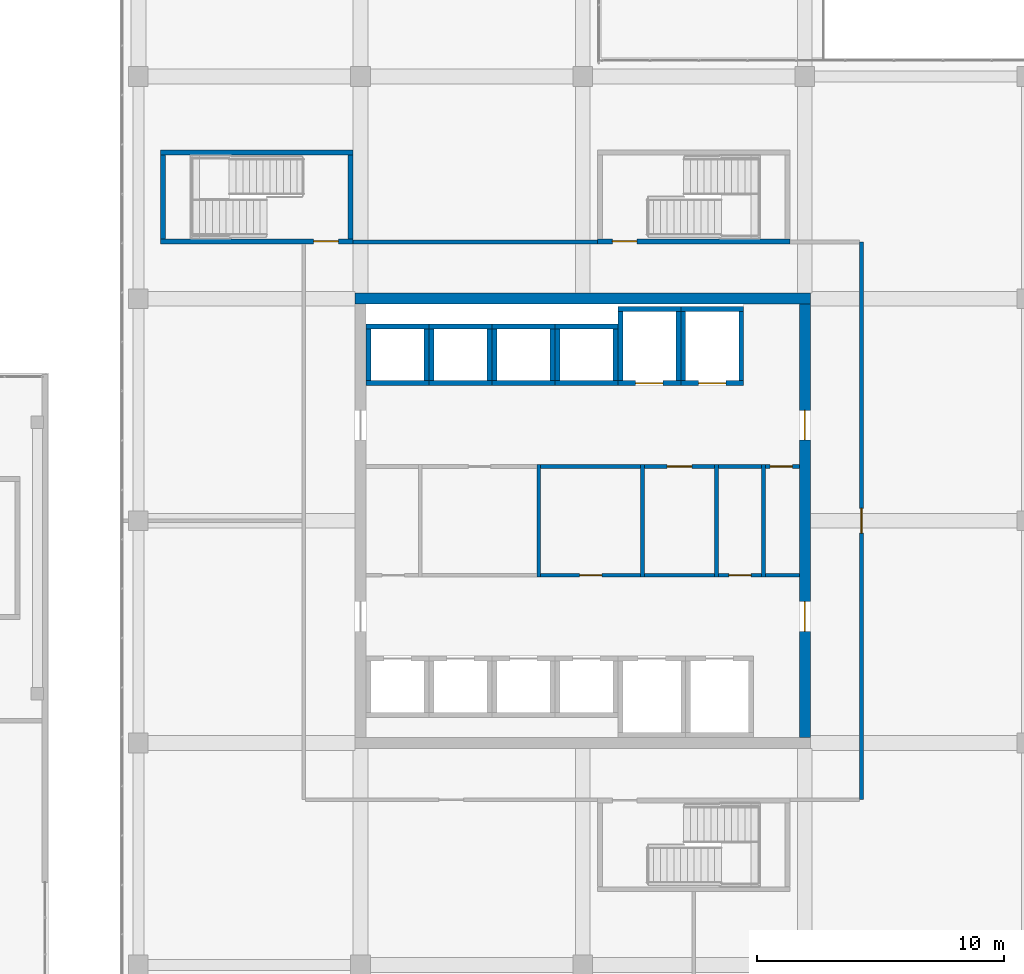
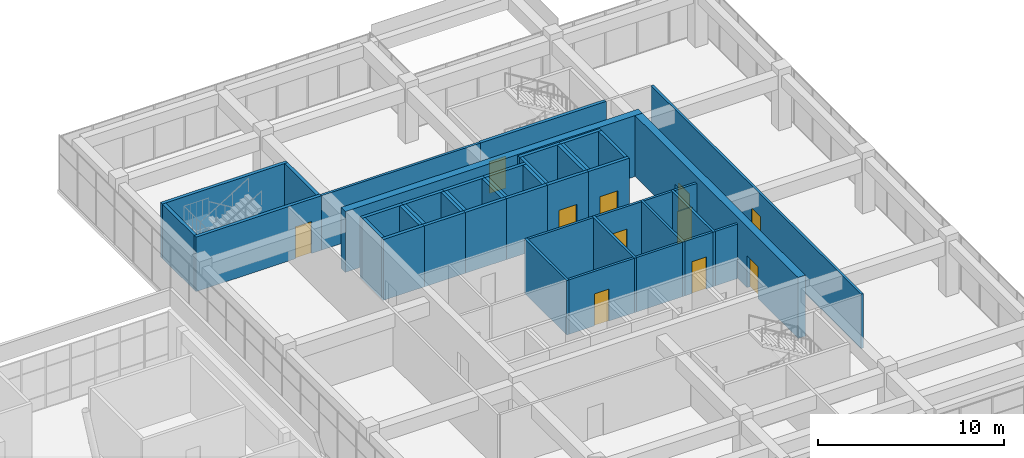
# One storey, part 65 of 72: 45 walls, 11 doors, 11 openings.
"""IFC4 building model written with IfcOpenShell, lengths in metres."""

from ifc_helpers import new_model, si_unit, direction, frame, frame_2d, origin, place, context, subcontext, project, spatial, rectangle, extrude, material, layer, layer_set, type_object, element, fill, save


model = new_model("IFC4")

# Units and contexts
model_context = context("Model", 3, precision=1e-05, world=origin(), true_north=direction((0.0, 1.0)))
body_context = subcontext(model_context, "Body", "Model", "MODEL_VIEW")
ifc_project = project(units=[si_unit("LENGTHUNIT", "METRE"), si_unit("AREAUNIT", "SQUARE_METRE"), si_unit("VOLUMEUNIT", "CUBIC_METRE"), si_unit("PLANEANGLEUNIT", "RADIAN"), si_unit("MASSUNIT", "GRAM", prefix="KILO")], contexts=[model_context])

# Site, building, storey
site_placement = place(None, origin())
site = spatial("IfcSite", under=ifc_project, at=site_placement, CompositionType="ELEMENT")
building_placement = place(site_placement, origin())
building = spatial("IfcBuilding", under=site, at=building_placement, Name="Tuart Plaza Theatre", CompositionType="ELEMENT")
storey_placement = place(building_placement, frame((0.0, 0.0, 13.5)))
storey = spatial("IfcBuildingStorey", under=building, at=storey_placement, Name="L03", CompositionType="ELEMENT", Elevation=13.5)

# Walls
ifc_material_1 = material(Name="Masonry block", Category="masonry")
ifc_layer_1 = layer(ifc_material_1, 0.14990234375)
ifc_layer_set_1 = layer_set([ifc_layer_1], Name="PARTITION BLK150 MASONRYB FRL -/120/120")
wall_type_1 = type_object("IfcWallType", Name="PARTITION BLK150 MASONRYB FRL -/120/120", PredefinedType="PARTITIONING", material=ifc_layer_set_1)
for number, where, z_axis, x_axis, name in (
    (1, (130.22509765625, 71.72509765625, 0.0), (0.0, 0.0, 1.0), (0.0, 1.0, 0.0), "P585"),
    (2, (134.425048828125, 71.72509765625, 0.0), (0.0, 0.0, 1.0), (0.0, 1.0, 0.0), "P588"),
):
    element("IfcWall", number, at=place(storey_placement, frame(where, z_axis=z_axis, x_axis=x_axis)), inside=storey, type_object=wall_type_1, Name=name, PredefinedType="PARTITIONING", context=body_context, shape_type="SweptSolid", body=[
        extrude(rectangle(XDim=4.5498046875, YDim=0.14990234375, at=frame_2d((2.27490234375, 0.0))), origin(), (0.0, 0.0, 1.0), 3.580078125),
    ])

# Wall, opening, door
wall_1_placement = place(storey_placement, frame((130.300048828125, 71.800048828125, 0.0), z_axis=(0.0, 0.0, 1.0), x_axis=(1.0, 0.0, 0.0)))
wall_1 = element("IfcWall", 3, at=wall_1_placement, inside=storey, type_object=wall_type_1, Name="P589", PredefinedType="PARTITIONING", context=body_context, shape_type="SweptSolid", body=[
    extrude(rectangle(XDim=4.050048828125, YDim=0.14990234375, at=frame_2d((2.02490234375, 0.0))), origin(), (0.0, 0.0, 1.0), 3.580078125),
])
opening_1_placement = place(wall_1_placement, frame((1.574951171875, 0.0, 0.0)))
opening_1 = element("IfcOpeningElement", 4, at=opening_1_placement, cuts=wall_1, Name="Opening L03-047", PredefinedType="OPENING", context=body_context, shape_type="SweptSolid", body=[
    extrude(rectangle(XDim=0.89990234375, YDim=2.10009765625, at=frame_2d((0.449951171875, 1.050048828125))), frame((0.0, 0.0849609375, 0.0), z_axis=(0.0, -1.0, 0.0), x_axis=(1.0, 0.0, 0.0)), (0.0, 0.0, 1.0), 0.169921875),
])
ifc_material_2 = material(Name="Steel Grade 300", Category="steel")
door_type_1 = type_object("IfcDoorType", Name="DOOR 900x2100 steel single swing FRL -/120/30", OperationType="SINGLE_SWING_LEFT", PredefinedType="DOOR", material=ifc_material_2)
door_1_placement = place(opening_1_placement, origin())
door_1 = element("IfcDoor", 5, at=door_1_placement, inside=storey, type_object=door_type_1, Name="L03-047", OperationType="SINGLE_SWING_LEFT", OverallHeight=2.10009765625, OverallWidth=0.89990234375, PredefinedType="DOOR", context=body_context, shape_type="SweptSolid", body=[
    extrude(rectangle(XDim=0.89990234375, YDim=2.10009765625, at=frame_2d((0.449951171875, 1.050048828125))), frame((0.0, 0.02490234375, 0.0), z_axis=(0.0, -1.0, 0.0), x_axis=(1.0, 0.0, 0.0)), (0.0, 0.0, 1.0), 0.050048828125),
])
fill(opening_1, door_1)

# Walls
wall_2_placement = place(storey_placement, frame((130.300048828125, 76.199951171875, 0.0), z_axis=(0.0, 0.0, 1.0), x_axis=(1.0, 0.0, 0.0)))
element("IfcWall", 6, at=wall_2_placement, inside=storey, type_object=wall_type_1, Name="P590", PredefinedType="PARTITIONING", context=body_context, shape_type="SweptSolid", body=[
    extrude(rectangle(XDim=4.050048828125, YDim=0.14990234375, at=frame_2d((2.02490234375, 0.0))), origin(), (0.0, 0.0, 1.0), 3.580078125),
])
wall_3_placement = place(storey_placement, frame((137.425048828125, 71.72509765625, 0.0), z_axis=(0.0, 0.0, 1.0), x_axis=(0.0, 1.0, 0.0)))
element("IfcWall", 7, at=wall_3_placement, inside=storey, type_object=wall_type_1, Name="P591", PredefinedType="PARTITIONING", context=body_context, shape_type="SweptSolid", body=[
    extrude(rectangle(XDim=4.5498046875, YDim=0.14990234375, at=frame_2d((2.27490234375, 0.0))), origin(), (0.0, 0.0, 1.0), 3.580078125),
])
wall_4_placement = place(storey_placement, frame((134.5, 71.800048828125, 0.0), z_axis=(0.0, 0.0, 1.0), x_axis=(1.0, 0.0, 0.0)))
element("IfcWall", 8, at=wall_4_placement, inside=storey, type_object=wall_type_1, Name="P592", PredefinedType="PARTITIONING", context=body_context, shape_type="SweptSolid", body=[
    extrude(rectangle(XDim=2.85009765625, YDim=0.14990234375, at=frame_2d((1.425048828125, 0.0))), origin(), (0.0, 0.0, 1.0), 3.580078125),
])

# Wall, opening, door
wall_5_placement = place(storey_placement, frame((134.5, 76.199951171875, 0.0), z_axis=(0.0, 0.0, 1.0), x_axis=(1.0, 0.0, 0.0)))
wall_5 = element("IfcWall", 9, at=wall_5_placement, inside=storey, type_object=wall_type_1, Name="P593", PredefinedType="PARTITIONING", context=body_context, shape_type="SweptSolid", body=[
    extrude(rectangle(XDim=2.85009765625, YDim=0.14990234375, at=frame_2d((1.425048828125, 0.0))), origin(), (0.0, 0.0, 1.0), 3.580078125),
])
opening_2_placement = place(wall_5_placement, frame((0.925048828125, 0.0, 0.0)))
opening_2 = element("IfcOpeningElement", 10, at=opening_2_placement, cuts=wall_5, Name="Opening L03-048", PredefinedType="OPENING", context=body_context, shape_type="SweptSolid", body=[
    extrude(rectangle(XDim=1.0, YDim=2.10009765625, at=frame_2d((0.5, 1.050048828125))), frame((0.0, 0.0849609375, 0.0), z_axis=(0.0, -1.0, 0.0), x_axis=(1.0, 0.0, 0.0)), (0.0, 0.0, 1.0), 0.169921875),
])
ifc_material_3 = material(Name="Steel Grade 300", Category="steel")
door_type_2 = type_object("IfcDoorType", Name="DOOR 1000x2100 steel single swing FRL -/120/30", OperationType="SINGLE_SWING_LEFT", PredefinedType="DOOR", material=ifc_material_3)
door_2_placement = place(opening_2_placement, frame((1.0, 0.0, 0.0), z_axis=(0.0, 0.0, 1.0), x_axis=(-1.0, 0.0, 0.0)))
door_2 = element("IfcDoor", 11, at=door_2_placement, inside=storey, type_object=door_type_2, Name="L03-048", OperationType="SINGLE_SWING_LEFT", OverallHeight=2.10009765625, OverallWidth=1.0, PredefinedType="DOOR", context=body_context, shape_type="SweptSolid", body=[
    extrude(rectangle(XDim=1.0, YDim=2.10009765625, at=frame_2d((0.5, 1.050048828125))), frame((0.0, 0.02490234375, 0.0), z_axis=(0.0, -1.0, 0.0), x_axis=(1.0, 0.0, 0.0)), (0.0, 0.0, 1.0), 0.050048828125),
])
fill(opening_2, door_2)

# Wall
wall_6_placement = place(storey_placement, frame((139.324951171875, 71.72509765625, 0.0), z_axis=(0.0, 0.0, 1.0), x_axis=(0.0, 1.0, 0.0)))
element("IfcWall", 12, at=wall_6_placement, inside=storey, type_object=wall_type_1, Name="P594", PredefinedType="PARTITIONING", context=body_context, shape_type="SweptSolid", body=[
    extrude(rectangle(XDim=4.5498046875, YDim=0.14990234375, at=frame_2d((2.27490234375, 0.0))), origin(), (0.0, 0.0, 1.0), 3.580078125),
])

# Wall, opening, door
wall_7_placement = place(storey_placement, frame((137.5, 71.800048828125, 0.0), z_axis=(0.0, 0.0, 1.0), x_axis=(1.0, 0.0, 0.0)))
wall_7 = element("IfcWall", 13, at=wall_7_placement, inside=storey, type_object=wall_type_1, Name="P595", PredefinedType="PARTITIONING", context=body_context, shape_type="SweptSolid", body=[
    extrude(rectangle(XDim=1.75, YDim=0.14990234375, at=frame_2d((0.875, 0.0))), origin(), (0.0, 0.0, 1.0), 3.580078125),
])
opening_3_placement = place(wall_7_placement, frame((0.425048828125, 0.0, 0.0)))
opening_3 = element("IfcOpeningElement", 14, at=opening_3_placement, cuts=wall_7, Name="Opening L03-049", PredefinedType="OPENING", context=body_context, shape_type="SweptSolid", body=[
    extrude(rectangle(XDim=0.89990234375, YDim=2.10009765625, at=frame_2d((0.449951171875, 1.050048828125))), frame((0.0, 0.0849609375, 0.0), z_axis=(0.0, -1.0, 0.0), x_axis=(1.0, 0.0, 0.0)), (0.0, 0.0, 1.0), 0.169921875),
])
door_3_placement = place(opening_3_placement, origin())
door_3 = element("IfcDoor", 15, at=door_3_placement, inside=storey, type_object=door_type_1, Name="L03-049", OperationType="SINGLE_SWING_LEFT", OverallHeight=2.10009765625, OverallWidth=0.89990234375, PredefinedType="DOOR", context=body_context, shape_type="SweptSolid", body=[
    extrude(rectangle(XDim=0.89990234375, YDim=2.10009765625, at=frame_2d((0.449951171875, 1.050048828125))), frame((0.0, 0.02490234375, 0.0), z_axis=(0.0, -1.0, 0.0), x_axis=(1.0, 0.0, 0.0)), (0.0, 0.0, 1.0), 0.050048828125),
])
fill(opening_3, door_3)

# Walls
wall_8_placement = place(storey_placement, frame((137.5, 76.199951171875, 0.0), z_axis=(0.0, 0.0, 1.0), x_axis=(1.0, 0.0, 0.0)))
element("IfcWall", 16, at=wall_8_placement, inside=storey, type_object=wall_type_1, Name="P596", PredefinedType="PARTITIONING", context=body_context, shape_type="SweptSolid", body=[
    extrude(rectangle(XDim=1.75, YDim=0.14990234375, at=frame_2d((0.875, 0.0))), origin(), (0.0, 0.0, 1.0), 3.580078125),
])
wall_9_placement = place(storey_placement, frame((139.39990234375, 71.800048828125, 0.0), z_axis=(0.0, 0.0, 1.0), x_axis=(1.0, 0.0, 0.0)))
element("IfcWall", 17, at=wall_9_placement, inside=storey, type_object=wall_type_1, Name="P597", PredefinedType="PARTITIONING", context=body_context, shape_type="SweptSolid", body=[
    extrude(rectangle(XDim=1.375, YDim=0.14990234375, at=frame_2d((0.6875, 0.0))), origin(), (0.0, 0.0, 1.0), 3.580078125),
])

# Wall, opening, door
wall_10_placement = place(storey_placement, frame((139.39990234375, 76.199951171875, 0.0), z_axis=(0.0, 0.0, 1.0), x_axis=(1.0, 0.0, 0.0)))
wall_10 = element("IfcWall", 18, at=wall_10_placement, inside=storey, type_object=wall_type_1, Name="P598", PredefinedType="PARTITIONING", context=body_context, shape_type="SweptSolid", body=[
    extrude(rectangle(XDim=1.375, YDim=0.14990234375, at=frame_2d((0.6875, 0.0))), origin(), (0.0, 0.0, 1.0), 3.580078125),
])
opening_4_placement = place(wall_10_placement, frame((0.199951171875, 0.0, 0.0)))
opening_4 = element("IfcOpeningElement", 19, at=opening_4_placement, cuts=wall_10, Name="Opening L03-050", PredefinedType="OPENING", context=body_context, shape_type="SweptSolid", body=[
    extrude(rectangle(XDim=0.89990234375, YDim=2.10009765625, at=frame_2d((0.449951171875, 1.050048828125))), frame((0.0, 0.0849609375, 0.0), z_axis=(0.0, -1.0, 0.0), x_axis=(1.0, 0.0, 0.0)), (0.0, 0.0, 1.0), 0.169921875),
])
door_4_placement = place(opening_4_placement, frame((0.89990234375, 0.0, 0.0), z_axis=(0.0, 0.0, 1.0), x_axis=(-1.0, 0.0, 0.0)))
door_4 = element("IfcDoor", 20, at=door_4_placement, inside=storey, type_object=door_type_1, Name="L03-050", OperationType="SINGLE_SWING_LEFT", OverallHeight=2.10009765625, OverallWidth=0.89990234375, PredefinedType="DOOR", context=body_context, shape_type="SweptSolid", body=[
    extrude(rectangle(XDim=0.89990234375, YDim=2.10009765625, at=frame_2d((0.449951171875, 1.050048828125))), frame((0.0, 0.02490234375, 0.0), z_axis=(0.0, -1.0, 0.0), x_axis=(1.0, 0.0, 0.0)), (0.0, 0.0, 1.0), 0.050048828125),
])
fill(opening_4, door_4)

# Wall
ifc_material_4 = material(Name="Masonry block", Category="masonry")
ifc_layer_2 = layer(ifc_material_4, 0.14990234375)
ifc_layer_set_2 = layer_set([ifc_layer_2], Name="PARTITION BLK150 MASONRYB FRL 120/-/-")
wall_type_2 = type_object("IfcWallType", Name="PARTITION BLK150 MASONRYB FRL 120/-/-", PredefinedType="PARTITIONING", material=ifc_layer_set_2)
wall_11_placement = place(storey_placement, frame((122.699951171875, 85.300048828125, 0.0), z_axis=(0.0, 0.0, 1.0), x_axis=(1.0, 0.0, 0.0)))
element("IfcWall", 21, at=wall_11_placement, inside=storey, type_object=wall_type_2, Name="P602", PredefinedType="PARTITIONING", context=body_context, shape_type="SweptSolid", body=[
    extrude(rectangle(XDim=9.900146484375, YDim=0.14990234375, at=frame_2d((4.9501953125, 0.0))), origin(), (0.0, 0.0, 1.0), 3.580078125),
])

# Wall, opening, door
wall_12_placement = place(storey_placement, frame((143.300048828125, 85.300048828125, 0.0), z_axis=(0.0, 0.0, 1.0), x_axis=(0.0, -1.0, 0.0)))
wall_12 = element("IfcWall", 22, at=wall_12_placement, inside=storey, type_object=wall_type_2, Name="P604", PredefinedType="PARTITIONING", context=body_context, shape_type="SweptSolid", body=[
    extrude(rectangle(XDim=22.60009765625, YDim=0.14990234375, at=frame_2d((11.300048828125, 0.0))), origin(), (0.0, 0.0, 1.0), 3.580078125),
])
opening_5_placement = place(wall_12_placement, frame((10.800048828125, 0.0, 0.0)))
opening_5 = element("IfcOpeningElement", 23, at=opening_5_placement, cuts=wall_12, Name="Opening L03-052", PredefinedType="OPENING", context=body_context, shape_type="SweptSolid", body=[
    extrude(rectangle(XDim=1.0, YDim=2.10009765625, at=frame_2d((0.5, 1.050048828125))), frame((0.0, 0.0849609375, 0.0), z_axis=(0.0, -1.0, 0.0), x_axis=(1.0, 0.0, 0.0)), (0.0, 0.0, 1.0), 0.169921875),
])
ifc_material_5 = material(Name="Timber", Category="wood")
door_type_3 = type_object("IfcDoorType", Name="DOOR 1000x2100 timber single swing FRL -/60/30", OperationType="SINGLE_SWING_LEFT", PredefinedType="DOOR", material=ifc_material_5)
door_5_placement = place(opening_5_placement, frame((1.0, 0.0, 0.0), z_axis=(0.0, 0.0, 1.0), x_axis=(-1.0, 0.0, 0.0)))
door_5 = element("IfcDoor", 24, at=door_5_placement, inside=storey, type_object=door_type_3, Name="L03-052", OperationType="SINGLE_SWING_RIGHT", OverallHeight=2.10009765625, OverallWidth=1.0, PredefinedType="DOOR", context=body_context, shape_type="SweptSolid", body=[
    extrude(rectangle(XDim=1.0, YDim=2.10009765625, at=frame_2d((0.5, 1.050048828125))), frame((0.0, 0.02490234375, 0.0), z_axis=(0.0, -1.0, 0.0), x_axis=(1.0, 0.0, 0.0)), (0.0, 0.0, 1.0), 0.050048828125),
])
fill(opening_5, door_5)

# Walls
ifc_material_6 = material(Name="Concrete N40 (40 MPa)", Category="concrete")
ifc_layer_3 = layer(ifc_material_6, 0.199951171875)
ifc_layer_set_3 = layer_set([ifc_layer_3], Name="SHEAR WALL RC200 FRL 120/120/120")
wall_type_3 = type_object("IfcWallType", Name="SHEAR WALL RC200 FRL 120/120/120", PredefinedType="SHEAR", material=ifc_layer_set_3)
wall_13_placement = place(storey_placement, frame((123.22509765625, 79.574951171875, 0.0), z_axis=(0.0, 0.0, 1.0), x_axis=(1.0, 0.0, 0.0)))
element("IfcWall", 25, at=wall_13_placement, inside=storey, type_object=wall_type_3, Name="W738", PredefinedType="SHEAR", context=body_context, shape_type="SweptSolid", body=[
    extrude(rectangle(XDim=2.5498046875, YDim=0.199951171875, at=frame_2d((1.27490234375, 0.0))), origin(), (0.0, 0.0, 1.0), 4.0),
])
wall_14_placement = place(storey_placement, frame((125.675048828125, 79.675048828125, 0.0), z_axis=(0.0, 0.0, 1.0), x_axis=(0.0, 1.0, 0.0)))
element("IfcWall", 26, at=wall_14_placement, inside=storey, type_object=wall_type_3, Name="W739", PredefinedType="SHEAR", context=body_context, shape_type="SweptSolid", body=[
    extrude(rectangle(XDim=2.099853515625, YDim=0.199951171875, at=frame_2d((1.0498046875, 0.0))), origin(), (0.0, 0.0, 1.0), 4.0),
])
wall_15_placement = place(storey_placement, frame((125.77490234375, 81.875, 0.0), z_axis=(0.0, 0.0, 1.0), x_axis=(-1.0, 0.0, 0.0)))
element("IfcWall", 27, at=wall_15_placement, inside=storey, type_object=wall_type_3, Name="W740", PredefinedType="SHEAR", context=body_context, shape_type="SweptSolid", body=[
    extrude(rectangle(XDim=2.5498046875, YDim=0.199951171875, at=frame_2d((1.27490234375, 0.0))), origin(), (0.0, 0.0, 1.0), 4.0),
])
wall_16_placement = place(storey_placement, frame((123.324951171875, 81.77490234375, 0.0), z_axis=(0.0, 0.0, 1.0), x_axis=(0.0, -1.0, 0.0)))
element("IfcWall", 28, at=wall_16_placement, inside=storey, type_object=wall_type_3, Name="W741", PredefinedType="SHEAR", context=body_context, shape_type="SweptSolid", body=[
    extrude(rectangle(XDim=2.099853515625, YDim=0.199951171875, at=frame_2d((1.0498046875, 0.0))), origin(), (0.0, 0.0, 1.0), 4.0),
])
wall_17_placement = place(storey_placement, frame((125.77490234375, 79.574951171875, 0.0), z_axis=(0.0, 0.0, 1.0), x_axis=(1.0, 0.0, 0.0)))
element("IfcWall", 29, at=wall_17_placement, inside=storey, type_object=wall_type_3, Name="W810", PredefinedType="SHEAR", context=body_context, shape_type="SweptSolid", body=[
    extrude(rectangle(XDim=2.550048828125, YDim=0.199951171875, at=frame_2d((1.27490234375, 0.0))), origin(), (0.0, 0.0, 1.0), 4.0),
])
wall_18_placement = place(storey_placement, frame((128.22509765625, 79.675048828125, 0.0), z_axis=(0.0, 0.0, 1.0), x_axis=(0.0, 1.0, 0.0)))
element("IfcWall", 30, at=wall_18_placement, inside=storey, type_object=wall_type_3, Name="W811", PredefinedType="SHEAR", context=body_context, shape_type="SweptSolid", body=[
    extrude(rectangle(XDim=2.099853515625, YDim=0.199951171875, at=frame_2d((1.0498046875, 0.0))), origin(), (0.0, 0.0, 1.0), 4.0),
])
wall_19_placement = place(storey_placement, frame((128.324951171875, 81.875, 0.0), z_axis=(0.0, 0.0, 1.0), x_axis=(-1.0, 0.0, 0.0)))
element("IfcWall", 31, at=wall_19_placement, inside=storey, type_object=wall_type_3, Name="W812", PredefinedType="SHEAR", context=body_context, shape_type="SweptSolid", body=[
    extrude(rectangle(XDim=2.550048828125, YDim=0.199951171875, at=frame_2d((1.27490234375, 0.0))), origin(), (0.0, 0.0, 1.0), 4.0),
])
wall_20_placement = place(storey_placement, frame((125.875, 81.77490234375, 0.0), z_axis=(0.0, 0.0, 1.0), x_axis=(0.0, -1.0, 0.0)))
element("IfcWall", 32, at=wall_20_placement, inside=storey, type_object=wall_type_3, Name="W813", PredefinedType="SHEAR", context=body_context, shape_type="SweptSolid", body=[
    extrude(rectangle(XDim=2.099853515625, YDim=0.199951171875, at=frame_2d((1.0498046875, 0.0))), origin(), (0.0, 0.0, 1.0), 4.0),
])
wall_21_placement = place(storey_placement, frame((128.324951171875, 79.574951171875, 0.0), z_axis=(0.0, 0.0, 1.0), x_axis=(1.0, 0.0, 0.0)))
element("IfcWall", 33, at=wall_21_placement, inside=storey, type_object=wall_type_3, Name="W882", PredefinedType="SHEAR", context=body_context, shape_type="SweptSolid", body=[
    extrude(rectangle(XDim=2.550048828125, YDim=0.199951171875, at=frame_2d((1.27490234375, 0.0))), origin(), (0.0, 0.0, 1.0), 4.0),
])
wall_22_placement = place(storey_placement, frame((130.77490234375, 79.675048828125, 0.0), z_axis=(0.0, 0.0, 1.0), x_axis=(0.0, 1.0, 0.0)))
element("IfcWall", 34, at=wall_22_placement, inside=storey, type_object=wall_type_3, Name="W883", PredefinedType="SHEAR", context=body_context, shape_type="SweptSolid", body=[
    extrude(rectangle(XDim=2.099853515625, YDim=0.199951171875, at=frame_2d((1.0498046875, 0.0))), origin(), (0.0, 0.0, 1.0), 4.0),
])
wall_23_placement = place(storey_placement, frame((130.875, 81.875, 0.0), z_axis=(0.0, 0.0, 1.0), x_axis=(-1.0, 0.0, 0.0)))
element("IfcWall", 35, at=wall_23_placement, inside=storey, type_object=wall_type_3, Name="W884", PredefinedType="SHEAR", context=body_context, shape_type="SweptSolid", body=[
    extrude(rectangle(XDim=2.550048828125, YDim=0.199951171875, at=frame_2d((1.27490234375, 0.0))), origin(), (0.0, 0.0, 1.0), 4.0),
])
wall_24_placement = place(storey_placement, frame((128.425048828125, 81.77490234375, 0.0), z_axis=(0.0, 0.0, 1.0), x_axis=(0.0, -1.0, 0.0)))
element("IfcWall", 36, at=wall_24_placement, inside=storey, type_object=wall_type_3, Name="W885", PredefinedType="SHEAR", context=body_context, shape_type="SweptSolid", body=[
    extrude(rectangle(XDim=2.099853515625, YDim=0.199951171875, at=frame_2d((1.0498046875, 0.0))), origin(), (0.0, 0.0, 1.0), 4.0),
])
wall_25_placement = place(storey_placement, frame((130.875, 79.574951171875, 0.0), z_axis=(0.0, 0.0, 1.0), x_axis=(1.0, 0.0, 0.0)))
element("IfcWall", 37, at=wall_25_placement, inside=storey, type_object=wall_type_3, Name="W954", PredefinedType="SHEAR", context=body_context, shape_type="SweptSolid", body=[
    extrude(rectangle(XDim=2.550048828125, YDim=0.199951171875, at=frame_2d((1.27490234375, 0.0))), origin(), (0.0, 0.0, 1.0), 4.0),
])
wall_26_placement = place(storey_placement, frame((133.324951171875, 79.675048828125, 0.0), z_axis=(0.0, 0.0, 1.0), x_axis=(0.0, 1.0, 0.0)))
element("IfcWall", 38, at=wall_26_placement, inside=storey, type_object=wall_type_3, Name="W955", PredefinedType="SHEAR", context=body_context, shape_type="SweptSolid", body=[
    extrude(rectangle(XDim=2.099853515625, YDim=0.199951171875, at=frame_2d((1.0498046875, 0.0))), origin(), (0.0, 0.0, 1.0), 4.0),
])
wall_27_placement = place(storey_placement, frame((133.425048828125, 81.875, 0.0), z_axis=(0.0, 0.0, 1.0), x_axis=(-1.0, 0.0, 0.0)))
element("IfcWall", 39, at=wall_27_placement, inside=storey, type_object=wall_type_3, Name="W956", PredefinedType="SHEAR", context=body_context, shape_type="SweptSolid", body=[
    extrude(rectangle(XDim=2.550048828125, YDim=0.199951171875, at=frame_2d((1.27490234375, 0.0))), origin(), (0.0, 0.0, 1.0), 4.0),
])
wall_28_placement = place(storey_placement, frame((130.97509765625, 81.77490234375, 0.0), z_axis=(0.0, 0.0, 1.0), x_axis=(0.0, -1.0, 0.0)))
element("IfcWall", 40, at=wall_28_placement, inside=storey, type_object=wall_type_3, Name="W957", PredefinedType="SHEAR", context=body_context, shape_type="SweptSolid", body=[
    extrude(rectangle(XDim=2.099853515625, YDim=0.199951171875, at=frame_2d((1.0498046875, 0.0))), origin(), (0.0, 0.0, 1.0), 4.0),
])

# Wall, opening, door
wall_29_placement = place(storey_placement, frame((133.425048828125, 79.574951171875, 0.0), z_axis=(0.0, 0.0, 1.0), x_axis=(1.0, 0.0, 0.0)))
wall_29 = element("IfcWall", 41, at=wall_29_placement, inside=storey, type_object=wall_type_3, Name="W1178", PredefinedType="SHEAR", context=body_context, shape_type="SweptSolid", body=[
    extrude(rectangle(XDim=2.550048828125, YDim=0.199951171875, at=frame_2d((1.27490234375, 0.0))), origin(), (0.0, 0.0, 1.0), 4.0),
])
opening_6_placement = place(wall_29_placement, frame((0.72509765625, 0.0, 0.0)))
opening_6 = element("IfcOpeningElement", 42, at=opening_6_placement, cuts=wall_29, Name="Opening L03-036", PredefinedType="OPENING", context=body_context, shape_type="SweptSolid", body=[
    extrude(rectangle(XDim=1.10009765625, YDim=2.10009765625, at=frame_2d((0.550048828125, 1.050048828125))), frame((0.0, 0.10986328125, 0.0), z_axis=(0.0, -1.0, 0.0), x_axis=(1.0, 0.0, 0.0)), (0.0, 0.0, 1.0), 0.219970703125),
])
ifc_material_7 = material(Name="Steel Grade 300", Category="steel")
door_type_4 = type_object("IfcDoorType", Name="LANDING DOOR 1100x2100 steel sliding FRL -/120/30", OperationType="SLIDING_TO_LEFT", PredefinedType="DOOR", material=ifc_material_7)
door_6_placement = place(opening_6_placement, origin())
door_6 = element("IfcDoor", 43, at=door_6_placement, inside=storey, type_object=door_type_4, Name="L03-036", OperationType="SLIDING_TO_LEFT", OverallHeight=2.10009765625, OverallWidth=1.10009765625, PredefinedType="DOOR", context=body_context, shape_type="SweptSolid", body=[
    extrude(rectangle(XDim=1.10009765625, YDim=2.10009765625, at=frame_2d((0.550048828125, 1.050048828125))), frame((0.0, 0.02490234375, 0.0), z_axis=(0.0, -1.0, 0.0), x_axis=(1.0, 0.0, 0.0)), (0.0, 0.0, 1.0), 0.050048828125),
])
fill(opening_6, door_6)

# Walls
wall_30_placement = place(storey_placement, frame((135.875, 79.675048828125, 0.0), z_axis=(0.0, 0.0, 1.0), x_axis=(0.0, 1.0, 0.0)))
element("IfcWall", 44, at=wall_30_placement, inside=storey, type_object=wall_type_3, Name="W1179", PredefinedType="SHEAR", context=body_context, shape_type="SweptSolid", body=[
    extrude(rectangle(XDim=2.800048828125, YDim=0.199951171875, at=frame_2d((1.39990234375, 0.0))), origin(), (0.0, 0.0, 1.0), 4.0),
])
wall_31_placement = place(storey_placement, frame((135.97509765625, 82.574951171875, 0.0), z_axis=(0.0, 0.0, 1.0), x_axis=(-1.0, 0.0, 0.0)))
element("IfcWall", 45, at=wall_31_placement, inside=storey, type_object=wall_type_3, Name="W1180", PredefinedType="SHEAR", context=body_context, shape_type="SweptSolid", body=[
    extrude(rectangle(XDim=2.550048828125, YDim=0.199951171875, at=frame_2d((1.27490234375, 0.0))), origin(), (0.0, 0.0, 1.0), 4.0),
])
wall_32_placement = place(storey_placement, frame((133.52490234375, 82.47509765625, 0.0), z_axis=(0.0, 0.0, 1.0), x_axis=(0.0, -1.0, 0.0)))
element("IfcWall", 46, at=wall_32_placement, inside=storey, type_object=wall_type_3, Name="W1181", PredefinedType="SHEAR", context=body_context, shape_type="SweptSolid", body=[
    extrude(rectangle(XDim=2.800048828125, YDim=0.199951171875, at=frame_2d((1.39990234375, 0.0))), origin(), (0.0, 0.0, 1.0), 4.0),
])

# Wall, opening, door
wall_33_placement = place(storey_placement, frame((135.97509765625, 79.574951171875, 0.0), z_axis=(0.0, 0.0, 1.0), x_axis=(1.0, 0.0, 0.0)))
wall_33 = element("IfcWall", 47, at=wall_33_placement, inside=storey, type_object=wall_type_3, Name="W1254", PredefinedType="SHEAR", context=body_context, shape_type="SweptSolid", body=[
    extrude(rectangle(XDim=2.5498046875, YDim=0.199951171875, at=frame_2d((1.27490234375, 0.0))), origin(), (0.0, 0.0, 1.0), 4.0),
])
opening_7_placement = place(wall_33_placement, frame((0.72509765625, 0.0, 0.0)))
opening_7 = element("IfcOpeningElement", 48, at=opening_7_placement, cuts=wall_33, Name="Opening L03-037", PredefinedType="OPENING", context=body_context, shape_type="SweptSolid", body=[
    extrude(rectangle(XDim=1.10009765625, YDim=2.10009765625, at=frame_2d((0.550048828125, 1.050048828125))), frame((0.0, 0.10986328125, 0.0), z_axis=(0.0, -1.0, 0.0), x_axis=(1.0, 0.0, 0.0)), (0.0, 0.0, 1.0), 0.219970703125),
])
door_7_placement = place(opening_7_placement, origin())
door_7 = element("IfcDoor", 49, at=door_7_placement, inside=storey, type_object=door_type_4, Name="L03-037", OperationType="SLIDING_TO_LEFT", OverallHeight=2.10009765625, OverallWidth=1.10009765625, PredefinedType="DOOR", context=body_context, shape_type="SweptSolid", body=[
    extrude(rectangle(XDim=1.10009765625, YDim=2.10009765625, at=frame_2d((0.550048828125, 1.050048828125))), frame((0.0, 0.02490234375, 0.0), z_axis=(0.0, -1.0, 0.0), x_axis=(1.0, 0.0, 0.0)), (0.0, 0.0, 1.0), 0.050048828125),
])
fill(opening_7, door_7)

# Walls
wall_34_placement = place(storey_placement, frame((138.425048828125, 79.675048828125, 0.0), z_axis=(0.0, 0.0, 1.0), x_axis=(0.0, 1.0, 0.0)))
element("IfcWall", 50, at=wall_34_placement, inside=storey, type_object=wall_type_3, Name="W1255", PredefinedType="SHEAR", context=body_context, shape_type="SweptSolid", body=[
    extrude(rectangle(XDim=2.800048828125, YDim=0.199951171875, at=frame_2d((1.39990234375, 0.0))), origin(), (0.0, 0.0, 1.0), 4.0),
])
wall_35_placement = place(storey_placement, frame((138.52490234375, 82.574951171875, 0.0), z_axis=(0.0, 0.0, 1.0), x_axis=(-1.0, 0.0, 0.0)))
element("IfcWall", 51, at=wall_35_placement, inside=storey, type_object=wall_type_3, Name="W1256", PredefinedType="SHEAR", context=body_context, shape_type="SweptSolid", body=[
    extrude(rectangle(XDim=2.5498046875, YDim=0.199951171875, at=frame_2d((1.27490234375, 0.0))), origin(), (0.0, 0.0, 1.0), 4.0),
])
wall_36_placement = place(storey_placement, frame((136.074951171875, 82.47509765625, 0.0), z_axis=(0.0, 0.0, 1.0), x_axis=(0.0, -1.0, 0.0)))
element("IfcWall", 52, at=wall_36_placement, inside=storey, type_object=wall_type_3, Name="W1257", PredefinedType="SHEAR", context=body_context, shape_type="SweptSolid", body=[
    extrude(rectangle(XDim=2.800048828125, YDim=0.199951171875, at=frame_2d((1.39990234375, 0.0))), origin(), (0.0, 0.0, 1.0), 4.0),
])

# Wall, opening, door
wall_37_placement = place(storey_placement, frame((132.60009765625, 85.324951171875, 0.0), z_axis=(0.0, 0.0, 1.0), x_axis=(1.0, 0.0, 0.0)))
wall_37 = element("IfcWall", 53, at=wall_37_placement, inside=storey, type_object=wall_type_3, Name="P424", PredefinedType="SHEAR", context=body_context, shape_type="SweptSolid", body=[
    extrude(rectangle(XDim=7.7998046875, YDim=0.199951171875, at=frame_2d((3.89990234375, 0.0))), origin(), (0.0, 0.0, 1.0), 3.580078125),
])
opening_8_placement = place(wall_37_placement, frame((0.60009765625, 0.0, 0.0)))
opening_8 = element("IfcOpeningElement", 54, at=opening_8_placement, cuts=wall_37, Name="Opening L03-039", PredefinedType="OPENING", context=body_context, shape_type="SweptSolid", body=[
    extrude(rectangle(XDim=1.0, YDim=2.10009765625, at=frame_2d((0.5, 1.050048828125))), frame((0.0, 0.10986328125, 0.0), z_axis=(0.0, -1.0, 0.0), x_axis=(1.0, 0.0, 0.0)), (0.0, 0.0, 1.0), 0.219970703125),
])
door_8_placement = place(opening_8_placement, origin())
door_8 = element("IfcDoor", 55, at=door_8_placement, inside=storey, type_object=door_type_2, Name="L03-039", OperationType="SINGLE_SWING_RIGHT", OverallHeight=2.10009765625, OverallWidth=1.0, PredefinedType="DOOR", context=body_context, shape_type="SweptSolid", body=[
    extrude(rectangle(XDim=1.0, YDim=2.10009765625, at=frame_2d((0.5, 1.050048828125))), frame((0.0, 0.02490234375, 0.0), z_axis=(0.0, -1.0, 0.0), x_axis=(1.0, 0.0, 0.0)), (0.0, 0.0, 1.0), 0.050048828125),
])
fill(opening_8, door_8)

wall_38_placement = place(storey_placement, frame((114.89990234375, 85.324951171875, 0.0), z_axis=(0.0, 0.0, 1.0), x_axis=(1.0, 0.0, 0.0)))
wall_38 = element("IfcWall", 56, at=wall_38_placement, inside=storey, type_object=wall_type_3, Name="P452", PredefinedType="SHEAR", context=body_context, shape_type="SweptSolid", body=[
    extrude(rectangle(XDim=7.800048828125, YDim=0.199951171875, at=frame_2d((3.89990234375, 0.0))), origin(), (0.0, 0.0, 1.0), 3.580078125),
])
opening_9_placement = place(wall_38_placement, frame((6.199951171875, 0.0, 0.0)))
opening_9 = element("IfcOpeningElement", 57, at=opening_9_placement, cuts=wall_38, Name="Opening L03-040", PredefinedType="OPENING", context=body_context, shape_type="SweptSolid", body=[
    extrude(rectangle(XDim=1.0, YDim=2.10009765625, at=frame_2d((0.5, 1.050048828125))), frame((0.0, 0.10986328125, 0.0), z_axis=(0.0, -1.0, 0.0), x_axis=(1.0, 0.0, 0.0)), (0.0, 0.0, 1.0), 0.219970703125),
])
door_9_placement = place(opening_9_placement, origin())
door_9 = element("IfcDoor", 58, at=door_9_placement, inside=storey, type_object=door_type_2, Name="L03-040", OperationType="SINGLE_SWING_LEFT", OverallHeight=2.10009765625, OverallWidth=1.0, PredefinedType="DOOR", context=body_context, shape_type="SweptSolid", body=[
    extrude(rectangle(XDim=1.0, YDim=2.10009765625, at=frame_2d((0.5, 1.050048828125))), frame((0.0, 0.02490234375, 0.0), z_axis=(0.0, -1.0, 0.0), x_axis=(1.0, 0.0, 0.0)), (0.0, 0.0, 1.0), 0.050048828125),
])
fill(opening_9, door_9)

# Walls
wall_39_placement = place(storey_placement, frame((122.60009765625, 85.425048828125, 0.0), z_axis=(0.0, 0.0, 1.0), x_axis=(0.0, 1.0, 0.0)))
element("IfcWall", 59, at=wall_39_placement, inside=storey, type_object=wall_type_3, Name="P453", PredefinedType="SHEAR", context=body_context, shape_type="SweptSolid", body=[
    extrude(rectangle(XDim=3.39990234375, YDim=0.199951171875, at=frame_2d((1.699951171875, 0.0))), origin(), (0.0, 0.0, 1.0), 3.580078125),
])
wall_40_placement = place(storey_placement, frame((122.699951171875, 88.925048828125, 0.0), z_axis=(0.0, 0.0, 1.0), x_axis=(-1.0, 0.0, 0.0)))
element("IfcWall", 60, at=wall_40_placement, inside=storey, type_object=wall_type_3, Name="P454", PredefinedType="SHEAR", context=body_context, shape_type="SweptSolid", body=[
    extrude(rectangle(XDim=7.800048828125, YDim=0.199951171875, at=frame_2d((3.89990234375, 0.0))), origin(), (0.0, 0.0, 1.0), 3.580078125),
])
wall_41_placement = place(storey_placement, frame((115.0, 88.824951171875, 0.0), z_axis=(0.0, 0.0, 1.0), x_axis=(0.0, -1.0, 0.0)))
element("IfcWall", 61, at=wall_41_placement, inside=storey, type_object=wall_type_3, Name="P455", PredefinedType="SHEAR", context=body_context, shape_type="SweptSolid", body=[
    extrude(rectangle(XDim=3.39990234375, YDim=0.199951171875, at=frame_2d((1.699951171875, 0.0))), origin(), (0.0, 0.0, 1.0), 3.580078125),
])

# Wall, openings, doors
ifc_material_8 = material(Name="Concrete N50 (50 MPa)", Category="concrete")
ifc_layer_4 = layer(ifc_material_8, 0.449951171875)
ifc_layer_set_4 = layer_set([ifc_layer_4], Name="SHEAR WALL RC450 N50 FRL 120/120/120")
wall_type_4 = type_object("IfcWallType", Name="SHEAR WALL RC450 N50 FRL 120/120/120", PredefinedType="SHEAR", material=ifc_layer_set_4)
wall_42_placement = place(storey_placement, frame((141.0, 65.22509765625, 0.0), z_axis=(0.0, 0.0, 1.0), x_axis=(0.0, 1.0, 0.0)))
wall_42 = element("IfcWall", 62, at=wall_42_placement, inside=storey, type_object=wall_type_4, Name="W364", PredefinedType="SHEAR", context=body_context, shape_type="SweptSolid", body=[
    extrude(rectangle(XDim=17.5498046875, YDim=0.449951171875, at=frame_2d((8.77490234375, 0.0))), origin(), (0.0, 0.0, 1.0), 4.0),
])
opening_10_placement = place(wall_42_placement, frame((4.300048828125, 0.0, 0.0)))
opening_10 = element("IfcOpeningElement", 63, at=opening_10_placement, cuts=wall_42, Name="Opening L03-042", PredefinedType="OPENING", context=body_context, shape_type="SweptSolid", body=[
    extrude(rectangle(XDim=1.199951171875, YDim=2.10009765625, at=frame_2d((0.60009765625, 1.050048828125))), frame((0.0, 0.23486328125, 0.0), z_axis=(0.0, -1.0, 0.0), x_axis=(1.0, 0.0, 0.0)), (0.0, 0.0, 1.0), 0.469970703125),
])
opening_11_placement = place(wall_42_placement, frame((12.050048828125, 0.0, 0.0)))
opening_11 = element("IfcOpeningElement", 64, at=opening_11_placement, cuts=wall_42, Name="Opening L03-044", PredefinedType="OPENING", context=body_context, shape_type="SweptSolid", body=[
    extrude(rectangle(XDim=1.199951171875, YDim=2.10009765625, at=frame_2d((0.60009765625, 1.050048828125))), frame((0.0, 0.23486328125, 0.0), z_axis=(0.0, -1.0, 0.0), x_axis=(1.0, 0.0, 0.0)), (0.0, 0.0, 1.0), 0.469970703125),
])
ifc_material_9 = material(Name="Steel Grade 300", Category="steel")
door_type_5 = type_object("IfcDoorType", Name="DOOR 1200x2100 steel single swing FRL -/120/30", OperationType="SINGLE_SWING_LEFT", PredefinedType="DOOR", material=ifc_material_9)
door_10_placement = place(opening_10_placement, frame((1.199951171875, 0.0, 0.0), z_axis=(0.0, 0.0, 1.0), x_axis=(-1.0, 0.0, 0.0)))
door_10 = element("IfcDoor", 65, at=door_10_placement, inside=storey, type_object=door_type_5, Name="L03-042", OperationType="SINGLE_SWING_LEFT", OverallHeight=2.10009765625, OverallWidth=1.199951171875, PredefinedType="DOOR", context=body_context, shape_type="SweptSolid", body=[
    extrude(rectangle(XDim=1.199951171875, YDim=2.10009765625, at=frame_2d((0.60009765625, 1.050048828125))), frame((0.0, 0.02490234375, 0.0), z_axis=(0.0, -1.0, 0.0), x_axis=(1.0, 0.0, 0.0)), (0.0, 0.0, 1.0), 0.050048828125),
])
fill(opening_10, door_10)
door_11_placement = place(opening_11_placement, frame((1.199951171875, 0.0, 0.0), z_axis=(0.0, 0.0, 1.0), x_axis=(-1.0, 0.0, 0.0)))
door_11 = element("IfcDoor", 66, at=door_11_placement, inside=storey, type_object=door_type_5, Name="L03-044", OperationType="SINGLE_SWING_RIGHT", OverallHeight=2.10009765625, OverallWidth=1.199951171875, PredefinedType="DOOR", context=body_context, shape_type="SweptSolid", body=[
    extrude(rectangle(XDim=1.199951171875, YDim=2.10009765625, at=frame_2d((0.60009765625, 1.050048828125))), frame((0.0, 0.02490234375, 0.0), z_axis=(0.0, -1.0, 0.0), x_axis=(1.0, 0.0, 0.0)), (0.0, 0.0, 1.0), 0.050048828125),
])
fill(opening_11, door_11)

# Wall
wall_43_placement = place(storey_placement, frame((141.22509765625, 83.0, 0.0), z_axis=(0.0, 0.0, 1.0), x_axis=(-1.0, 0.0, 0.0)))
element("IfcWall", 67, at=wall_43_placement, inside=storey, type_object=wall_type_4, Name="W365", PredefinedType="SHEAR", context=body_context, shape_type="SweptSolid", body=[
    extrude(rectangle(XDim=18.4501953125, YDim=0.449951171875, at=frame_2d((9.22509765625, 0.0))), origin(), (0.0, 0.0, 1.0), 4.0),
])

save(model, "model.ifc")
